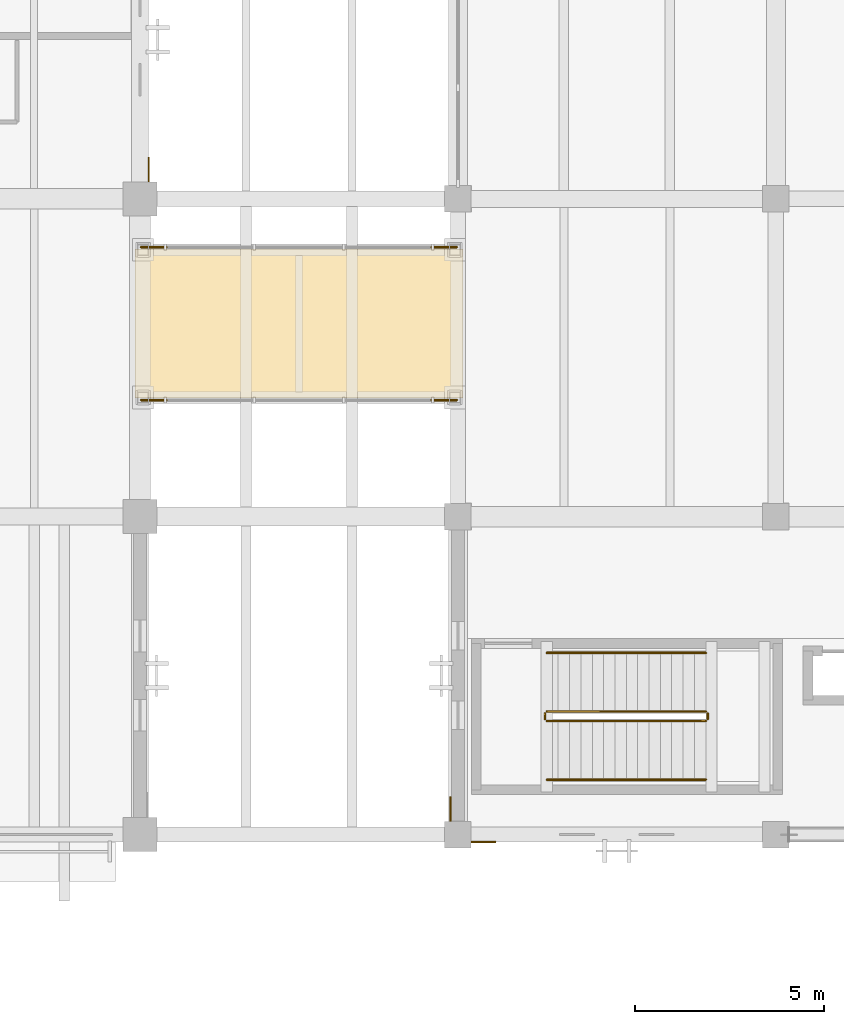
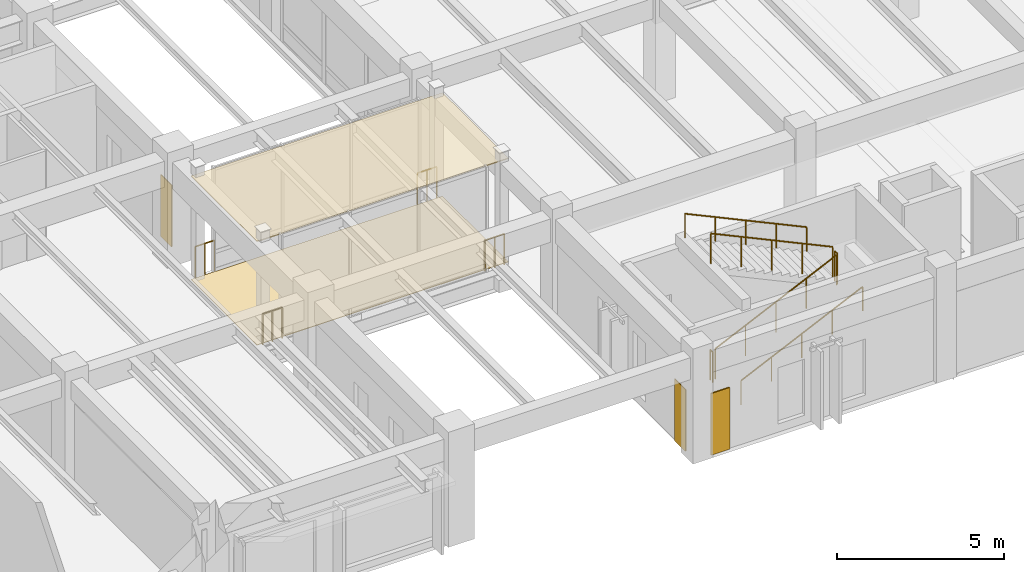
# One storey, part 121 of 132: 10 railings, 5 coverings.
"""IFC4 building model written with IfcOpenShell, lengths in metres."""

from ifc_helpers import new_model, si_unit, direction, frame, origin, origin_2d, place, context, subcontext, project, spatial, polyline, circle, outline, extrude, material, layer, layer_set, type_object, element, save


model = new_model("IFC4")

# Units and contexts
model_context = context("Model", 3, precision=1e-05, world=origin(), true_north=direction((0.0, 1.0)))
body_context = subcontext(model_context, "Body", "Model", "MODEL_VIEW")
ifc_project = project(units=[si_unit("LENGTHUNIT", "METRE"), si_unit("AREAUNIT", "SQUARE_METRE"), si_unit("VOLUMEUNIT", "CUBIC_METRE"), si_unit("PLANEANGLEUNIT", "RADIAN"), si_unit("MASSUNIT", "GRAM", prefix="KILO")], contexts=[model_context])

# Site, building, storey
site_placement = place(None, origin())
site = spatial("IfcSite", under=ifc_project, at=site_placement, CompositionType="ELEMENT")
building_placement = place(site_placement, origin())
building = spatial("IfcBuilding", under=site, at=building_placement, Name="Cumbredor Promenade Congress Hotel", CompositionType="ELEMENT")
storey_placement = place(building_placement, frame((0.0, 0.0, 7.56005859375)))
storey = spatial("IfcBuildingStorey", under=building, at=storey_placement, Name="L02", CompositionType="ELEMENT", Elevation=7.56005859375)

# Coverings
ifc_material_1 = material(Name="Acoustic mineral-fiber and gypsum ceiling")
ifc_layer_1 = layer(ifc_material_1, 0.031982421875, Name="Acoustic mineral-fiber and gypsum ceiling")
ifc_layer_set_1 = layer_set([ifc_layer_1], Name="Acoustic mineral-fiber and gypsum ceiling")
covering_type_1 = type_object("IfcCoveringType", Name="Acoustic Perforated Gypsum Ceiling CLG-04 32mm", PredefinedType="CEILING", material=ifc_layer_set_1)
covering_1_placement = place(storey_placement, frame((0.0, 0.0, 3.767822265625)))
element("IfcCovering", 1, at=covering_1_placement, inside=storey, type_object=covering_type_1, Name="L02 North Hotel-to-Forum Glazed Bridge Concourse Acoustic Ceiling", PredefinedType="CEILING", context=body_context, shape_type="SweptSolid", body=[
    extrude(outline(polyline([(83.860107421875, 99.469970703125), (92.5400390625, 99.469970703125), (92.5400390625, 95.530029296875), (83.860107421875, 95.530029296875), (83.860107421875, 99.469970703125)])), origin(), (0.0, 0.0, 1.0), 0.0322265625),
])
ifc_material_2 = material(Name="Precast concrete C40/50", Category="concrete")
ifc_layer_2 = layer(ifc_material_2, 0.044921875, Name="Precast concrete C40/50", Category="concrete")
ifc_layer_set_2 = layer_set([ifc_layer_2], Name="Precast concrete C40/50")
covering_type_2 = type_object("IfcCoveringType", Name="Board-Formed Architectural Cladding Panel 45mm", PredefinedType="CLADDING", material=ifc_layer_set_2)
covering_2_placement = place(storey_placement, origin())
element("IfcCovering", 2, at=covering_2_placement, inside=storey, type_object=covering_type_2, Name="L02 Facade Stone Cladding Pier 110", PredefinedType="CLADDING", context=body_context, shape_type="SweptSolid", body=[
    extrude(outline(polyline([(92.7509765625, 83.824951171875), (93.40087890625, 83.824951171875), (93.40087890625, 83.780029296875), (92.7509765625, 83.780029296875), (92.7509765625, 83.824951171875)])), origin(), (0.0, 0.0, 1.0), 2.25),
])

# Railings
ifc_material_3 = material(Name="Brushed stainless steel", Category="steel")
railing_type_1 = type_object("IfcRailingType", Name="Interior Void & Stair Guardrail GR-1100", PredefinedType="GUARDRAIL", material=ifc_material_3)
railing_1_placement = place(storey_placement, frame((94.75, 87.0, 0.139892578125)))
element("IfcRailing", 3, at=railing_1_placement, inside=storey, type_object=railing_type_1, Name="L02 ST-13 stair guard 1", PredefinedType="GUARDRAIL", context=body_context, shape_type="SweptSolid", body=[
    extrude(circle(Radius=0.02392578125, at=origin_2d()), frame((0.0, 0.0, 1.09619140625), z_axis=(0.906184485727, 0.0, 0.422882581609), x_axis=(0.0, 1.0, 0.0)), (0.0, 0.0, 1.0), 4.634765625),
    extrude(circle(Radius=0.02099609375, at=origin_2d()), origin(), (0.0, 0.0, 1.0), 1.072021484375),
    extrude(circle(Radius=0.02099609375, at=origin_2d()), frame((1.050048828125, 0.0, 0.489990234375)), (0.0, 0.0, 1.0), 1.072021484375),
    extrude(circle(Radius=0.02099609375, at=origin_2d()), frame((2.10009765625, 0.0, 0.97998046875)), (0.0, 0.0, 1.0), 1.072021484375),
    extrude(circle(Radius=0.02099609375, at=origin_2d()), frame((3.14990234375, 0.0, 1.469970703125)), (0.0, 0.0, 1.0), 1.072021484375),
    extrude(circle(Radius=0.02099609375, at=origin_2d()), frame((4.199951171875, 0.0, 1.9599609375)), (0.0, 0.0, 1.0), 1.072021484375),
])
railing_2_placement = place(storey_placement, frame((99.0, 87.050048828125, 2.099853515625)))
element("IfcRailing", 4, at=railing_2_placement, inside=storey, type_object=railing_type_1, Name="L02 ST-13 stair guard 2", PredefinedType="GUARDRAIL", context=body_context, shape_type="SweptSolid", body=[
    extrude(circle(Radius=0.02392578125, at=origin_2d()), frame((0.0, 0.0, 1.09619140625), z_axis=(0.0, 1.0, 0.0), x_axis=(-1.0, 0.0, 0.0)), (0.0, 0.0, 1.0), 0.14990234375),
    extrude(circle(Radius=0.02099609375, at=origin_2d()), origin(), (0.0, 0.0, 1.0), 1.072021484375),
    extrude(circle(Radius=0.02099609375, at=origin_2d()), frame((0.0, 0.14990234375, 0.0)), (0.0, 0.0, 1.0), 1.072021484375),
])
railing_3_placement = place(storey_placement, frame((98.949951171875, 87.25, 2.239990234375)))
element("IfcRailing", 5, at=railing_3_placement, inside=storey, type_object=railing_type_1, Name="L02 ST-13 stair guard 3", PredefinedType="GUARDRAIL", context=body_context, shape_type="SweptSolid", body=[
    extrude(circle(Radius=0.02392578125, at=origin_2d()), frame((0.0, 0.0, 1.09619140625), z_axis=(-0.906184485727, 0.0, 0.422882581609), x_axis=(0.0, -1.0, 0.0)), (0.0, 0.0, 1.0), 4.634765625),
    extrude(circle(Radius=0.02099609375, at=origin_2d()), origin(), (0.0, 0.0, 1.0), 1.072021484375),
    extrude(circle(Radius=0.02099609375, at=origin_2d()), frame((-1.050048828125, 0.0, 0.489990234375)), (0.0, 0.0, 1.0), 1.072021484375),
    extrude(circle(Radius=0.02099609375, at=origin_2d()), frame((-2.10009765625, 0.0, 0.97998046875)), (0.0, 0.0, 1.0), 1.072021484375),
    extrude(circle(Radius=0.02099609375, at=origin_2d()), frame((-3.14990234375, 0.0, 1.469970703125)), (0.0, 0.0, 1.0), 1.072021484375),
    extrude(circle(Radius=0.02099609375, at=origin_2d()), frame((-4.199951171875, 0.0, 1.9599609375)), (0.0, 0.0, 1.0), 1.072021484375),
])
railing_4_placement = place(storey_placement, frame((94.699951171875, 87.050048828125, 0.0)))
element("IfcRailing", 6, at=railing_4_placement, inside=storey, type_object=railing_type_1, Name="L02 ST-13 stair guard 4", PredefinedType="GUARDRAIL", context=body_context, shape_type="SweptSolid", body=[
    extrude(circle(Radius=0.02392578125, at=origin_2d()), frame((0.0, 0.0, 1.09619140625), z_axis=(0.0, 1.0, 0.0), x_axis=(-1.0, 0.0, 0.0)), (0.0, 0.0, 1.0), 0.14990234375),
    extrude(circle(Radius=0.02099609375, at=origin_2d()), origin(), (0.0, 0.0, 1.0), 1.072021484375),
    extrude(circle(Radius=0.02099609375, at=origin_2d()), frame((0.0, 0.14990234375, 0.0)), (0.0, 0.0, 1.0), 1.072021484375),
])

# Covering
ifc_material_4 = material(Name="Porcelain stoneware tile", Category="masonry")
ifc_layer_3 = layer(ifc_material_4, 0.02001953125, Name="Porcelain stoneware tile", Category="masonry")
ifc_layer_set_3 = layer_set([ifc_layer_3], Name="Porcelain stoneware tile")
covering_type_3 = type_object("IfcCoveringType", Name="Porcelain Stoneware Flooring FLR-01 20mm", PredefinedType="FLOORING", material=ifc_layer_set_3)
covering_3_placement = place(storey_placement, origin())
element("IfcCovering", 7, at=covering_3_placement, inside=storey, type_object=covering_type_3, Name="L02 North Hotel-to-Forum Glazed Bridge Concourse Porcelain Flooring", PredefinedType="FLOORING", context=body_context, shape_type="SweptSolid", body=[
    extrude(outline(polyline([(83.860107421875, 99.469970703125), (92.5400390625, 99.469970703125), (92.5400390625, 95.530029296875), (83.860107421875, 95.530029296875), (83.860107421875, 99.469970703125)])), origin(), (0.0, 0.0, 1.0), 0.02001953125),
])

# Railings
railing_type_2 = type_object("IfcRailingType", Name="Sky Garden Glass-and-Steel Balustrade BAL-1150", PredefinedType="BALUSTRADE", material=ifc_material_3)
for number, where, name in (
    (8, (84.030029296875, 95.47998046875, 0.0), "L02 North Hotel-to-Forum Glazed Bridge End Guardrail WS"),
    (9, (84.030029296875, 99.52001953125, 0.0), "L02 North Hotel-to-Forum Glazed Bridge End Guardrail WN"),
):
    element("IfcRailing", number, at=place(storey_placement, frame(where)), inside=storey, type_object=railing_type_2, Name=name, PredefinedType="BALUSTRADE", context=body_context, shape_type="SweptSolid", body=[
        extrude(circle(Radius=0.02392578125, at=origin_2d()), frame((0.0, 0.0, 1.1259765625), z_axis=(1.0, 0.0, 0.0), x_axis=(0.0, 1.0, 0.0)), (0.0, 0.0, 1.0), 0.669921875),
        extrude(circle(Radius=0.02099609375, at=origin_2d()), origin(), (0.0, 0.0, 1.0), 1.101806640625),
        extrude(circle(Radius=0.02099609375, at=origin_2d()), frame((0.3349609375, 0.0, 0.0)), (0.0, 0.0, 1.0), 1.101806640625),
        extrude(circle(Radius=0.02099609375, at=origin_2d()), frame((0.669921875, 0.0, 0.0)), (0.0, 0.0, 1.0), 1.101806640625),
    ])
for number, where, name in (
    (10, (91.699951171875, 95.47998046875, 0.0), "L02 North Hotel-to-Forum Glazed Bridge End Guardrail ES"),
    (11, (91.699951171875, 99.52001953125, 0.0), "L02 North Hotel-to-Forum Glazed Bridge End Guardrail EN"),
):
    element("IfcRailing", number, at=place(storey_placement, frame(where)), inside=storey, type_object=railing_type_2, Name=name, PredefinedType="BALUSTRADE", context=body_context, shape_type="SweptSolid", body=[
        extrude(circle(Radius=0.02392578125, at=origin_2d()), frame((0.0, 0.0, 1.1259765625), z_axis=(1.0, 0.0, 0.0), x_axis=(0.0, 1.0, 0.0)), (0.0, 0.0, 1.0), 0.670166015625),
        extrude(circle(Radius=0.02099609375, at=origin_2d()), origin(), (0.0, 0.0, 1.0), 1.101806640625),
        extrude(circle(Radius=0.02099609375, at=origin_2d()), frame((0.3349609375, 0.0, 0.0)), (0.0, 0.0, 1.0), 1.101806640625),
        extrude(circle(Radius=0.02099609375, at=origin_2d()), frame((0.670166015625, 0.0, 0.0)), (0.0, 0.0, 1.0), 1.101806640625),
    ])
railing_type_3 = type_object("IfcRailingType", Name="Stair Pitch Handrail HR-900", PredefinedType="HANDRAIL", material=ifc_material_3)
railing_5_placement = place(storey_placement, frame((94.75, 85.449951171875, 0.139892578125)))
element("IfcRailing", 12, at=railing_5_placement, inside=storey, type_object=railing_type_3, Name="L02 ST-13 stair handrail 1", PredefinedType="HANDRAIL", context=body_context, shape_type="SweptSolid", body=[
    extrude(circle(Radius=0.02392578125, at=origin_2d()), frame((0.0, 0.0, 0.8759765625), z_axis=(0.906184485727, 0.0, 0.422882581609), x_axis=(0.0, 1.0, 0.0)), (0.0, 0.0, 1.0), 4.634765625),
    extrude(circle(Radius=0.02099609375, at=origin_2d()), origin(), (0.0, 0.0, 1.0), 0.851806640625),
    extrude(circle(Radius=0.02099609375, at=origin_2d()), frame((1.050048828125, 0.0, 0.489990234375)), (0.0, 0.0, 1.0), 0.851806640625),
    extrude(circle(Radius=0.02099609375, at=origin_2d()), frame((2.10009765625, 0.0, 0.97998046875)), (0.0, 0.0, 1.0), 0.851806640625),
    extrude(circle(Radius=0.02099609375, at=origin_2d()), frame((3.14990234375, 0.0, 1.469970703125)), (0.0, 0.0, 1.0), 0.851806640625),
    extrude(circle(Radius=0.02099609375, at=origin_2d()), frame((4.199951171875, 0.0, 1.9599609375)), (0.0, 0.0, 1.0), 0.851806640625),
])
railing_6_placement = place(storey_placement, frame((98.949951171875, 88.800048828125, 2.239990234375)))
element("IfcRailing", 13, at=railing_6_placement, inside=storey, type_object=railing_type_3, Name="L02 ST-13 stair handrail 2", PredefinedType="HANDRAIL", context=body_context, shape_type="SweptSolid", body=[
    extrude(circle(Radius=0.02392578125, at=origin_2d()), frame((0.0, 0.0, 0.8759765625), z_axis=(-0.906184485727, 0.0, 0.422882581609), x_axis=(0.0, -1.0, 0.0)), (0.0, 0.0, 1.0), 4.634765625),
    extrude(circle(Radius=0.02099609375, at=origin_2d()), origin(), (0.0, 0.0, 1.0), 0.851806640625),
    extrude(circle(Radius=0.02099609375, at=origin_2d()), frame((-1.050048828125, 0.0, 0.489990234375)), (0.0, 0.0, 1.0), 0.851806640625),
    extrude(circle(Radius=0.02099609375, at=origin_2d()), frame((-2.10009765625, 0.0, 0.97998046875)), (0.0, 0.0, 1.0), 0.851806640625),
    extrude(circle(Radius=0.02099609375, at=origin_2d()), frame((-3.14990234375, 0.0, 1.469970703125)), (0.0, 0.0, 1.0), 0.851806640625),
    extrude(circle(Radius=0.02099609375, at=origin_2d()), frame((-4.199951171875, 0.0, 1.9599609375)), (0.0, 0.0, 1.0), 0.851806640625),
])

# Coverings
ifc_material_5 = material(Name="Volcanic andesite ashlar cladding", Category="masonry")
ifc_layer_4 = layer(ifc_material_5, 0.034912109375, Name="Volcanic andesite ashlar cladding", Category="masonry")
ifc_layer_set_4 = layer_set([ifc_layer_4], Name="Volcanic andesite ashlar cladding")
covering_type_4 = type_object("IfcCoveringType", Name="Volcanic Andesite Ashlar Rainscreen Cladding 35mm", PredefinedType="CLADDING", material=ifc_layer_set_4)
covering_4_placement = place(storey_placement, origin())
element("IfcCovering", 14, at=covering_4_placement, inside=storey, type_object=covering_type_4, Name="L02 Facade Stone Cladding Pier 117", PredefinedType="CLADDING", context=body_context, shape_type="SweptSolid", body=[
    extrude(outline(polyline([(92.22509765625, 84.35107421875), (92.22509765625, 85.0009765625), (92.18994140625, 85.0009765625), (92.18994140625, 84.35107421875), (92.22509765625, 84.35107421875)])), origin(), (0.0, 0.0, 1.0), 2.25),
])
covering_5_placement = place(storey_placement, origin())
element("IfcCovering", 15, at=covering_5_placement, inside=storey, type_object=covering_type_4, Name="L02 Facade Stone Cladding Pier 131", PredefinedType="CLADDING", context=body_context, shape_type="SweptSolid", body=[
    extrude(outline(polyline([(84.21240234375, 101.2509765625), (84.21240234375, 101.90087890625), (84.24755859375, 101.90087890625), (84.24755859375, 101.2509765625), (84.21240234375, 101.2509765625)])), origin(), (0.0, 0.0, 1.0), 2.25),
])

save(model, "model.ifc")
